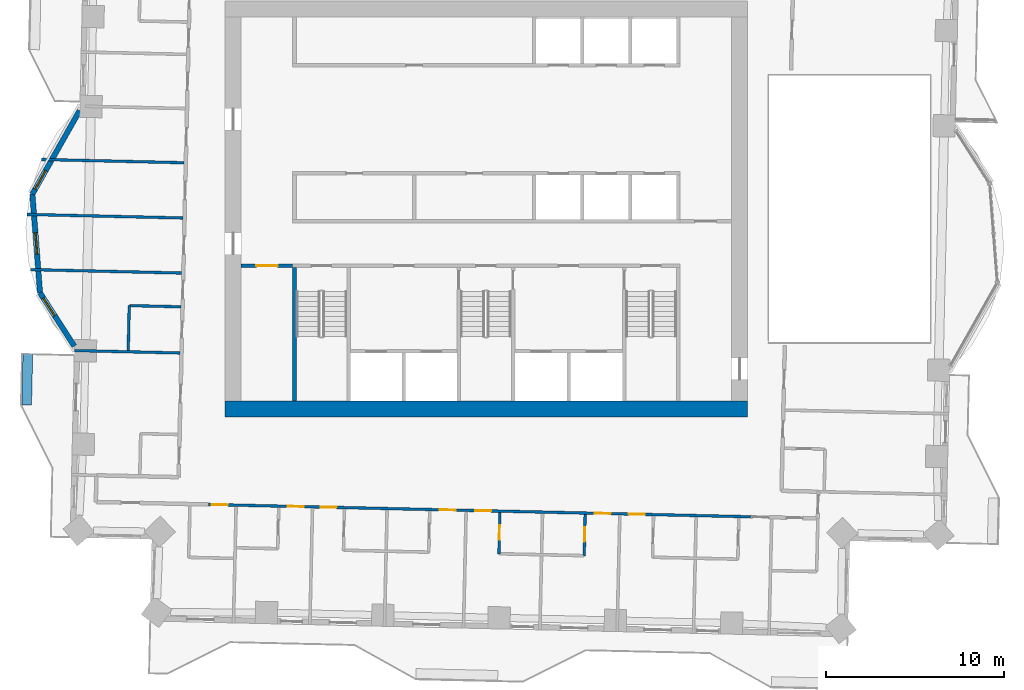
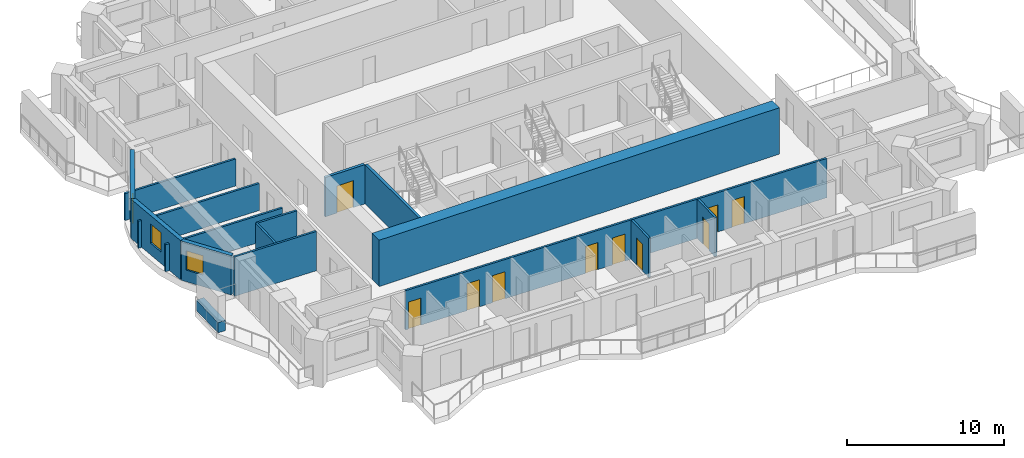
# One storey, part 5 of 15: 16 walls, 10 doors, 3 windows, 13 openings.
"""IFC4 building model written with IfcOpenShell, lengths in metres."""

from ifc_helpers import new_model, si_unit, direction, frame, frame_2d, origin, place, context, subcontext, project, spatial, rectangle, extrude, material, layer, layer_set, type_object, element, fill, save


model = new_model("IFC4")

# Units and contexts
model_context = context("Model", 3, precision=1e-05, world=origin(), true_north=direction((0.0, 1.0)))
body_context = subcontext(model_context, "Body", "Model", "MODEL_VIEW")
ifc_project = project(units=[si_unit("LENGTHUNIT", "METRE"), si_unit("AREAUNIT", "SQUARE_METRE"), si_unit("VOLUMEUNIT", "CUBIC_METRE"), si_unit("PLANEANGLEUNIT", "RADIAN"), si_unit("MASSUNIT", "GRAM", prefix="KILO")], contexts=[model_context])

# Site, building, storey
site_placement = place(None, origin())
site = spatial("IfcSite", under=ifc_project, at=site_placement, CompositionType="ELEMENT")
building_placement = place(site_placement, origin())
building = spatial("IfcBuilding", under=site, at=building_placement, Name="Mangrove Gate Tower", CompositionType="ELEMENT")
storey_placement = place(building_placement, frame((0.0, 0.0, 156.300048828125)))
storey = spatial("IfcBuildingStorey", under=building, at=storey_placement, Name="L39", CompositionType="ELEMENT", Elevation=156.300048828125)

# Wall, opening, door
ifc_material_1 = material(Name="Concrete C32/40", Category="concrete")
ifc_layer_1 = layer(ifc_material_1, 0.199951171875)
ifc_layer_set_1 = layer_set([ifc_layer_1], Name="Core lobby wall 200 C32/40")
wall_type_1 = type_object("IfcWallType", Name="Core lobby wall 200 C32/40", PredefinedType="STANDARD", material=ifc_layer_set_1)
wall_1_placement = place(storey_placement, frame((-13.800048828125, -3.199951171875, 0.0), z_axis=(0.0, 0.0, 1.0), x_axis=(1.0, 0.0, 0.0)))
wall_1 = element("IfcWall", 1, at=wall_1_placement, inside=storey, type_object=wall_type_1, Name="WALL-L39-CORE-30", PredefinedType="STANDARD", context=body_context, shape_type="SweptSolid", body=[
    extrude(rectangle(XDim=2.900146484375, YDim=0.199951171875, at=frame_2d((1.4501953125, 0.0))), origin(), (0.0, 0.0, 1.0), 3.050048828125),
])
opening_1_placement = place(wall_1_placement, frame((0.85009765625, 0.0, 0.0)))
opening_1 = element("IfcOpeningElement", 2, at=opening_1_placement, cuts=wall_1, Name="Opening FL12", PredefinedType="OPENING", context=body_context, shape_type="SweptSolid", body=[
    extrude(rectangle(XDim=1.199951171875, YDim=2.10009765625, at=frame_2d((0.60009765625, 1.050048828125))), frame((0.0, 0.10986328125, 0.0), z_axis=(0.0, -1.0, 0.0), x_axis=(1.0, 0.0, 0.0)), (0.0, 0.0, 1.0), 0.219970703125),
])
ifc_material_2 = material(Name="Fire-rated steel door set", Category="steel")
door_type_1 = type_object("IfcDoorType", Name="Lobby door FD60 1200x2100", OperationType="SINGLE_SWING_LEFT", PredefinedType="DOOR", material=ifc_material_2)
door_1_placement = place(opening_1_placement, origin())
door_1 = element("IfcDoor", 3, at=door_1_placement, inside=storey, type_object=door_type_1, Name="Lobby door core corridor W partition", OperationType="SINGLE_SWING_LEFT", OverallHeight=2.10009765625, OverallWidth=1.199951171875, PredefinedType="DOOR", context=body_context, shape_type="SweptSolid", body=[
    extrude(rectangle(XDim=1.199951171875, YDim=2.10009765625, at=frame_2d((0.60009765625, 1.050048828125))), frame((0.0, 0.02490234375, 0.0), z_axis=(0.0, -1.0, 0.0), x_axis=(1.0, 0.0, 0.0)), (0.0, 0.0, 1.0), 0.050048828125),
])
fill(opening_1, door_1)

# Walls
ifc_material_3 = material(Name="Concrete C60/75", Category="concrete")
ifc_layer_2 = layer(ifc_material_3, 0.199951171875)
ifc_layer_set_2 = layer_set([ifc_layer_2], Name="Core stair wall 200 C60/75")
wall_type_2 = type_object("IfcWallType", Name="Core stair wall 200 C60/75", PredefinedType="SHEAR", material=ifc_layer_set_2)
wall_2_placement = place(storey_placement, frame((-10.800048828125, -10.800048828125, 0.0), z_axis=(0.0, 0.0, 1.0), x_axis=(0.0, 1.0, 0.0)))
element("IfcWall", 4, at=wall_2_placement, inside=storey, type_object=wall_type_2, Name="WALL-L39-CORE-9", PredefinedType="SHEAR", context=body_context, shape_type="SweptSolid", body=[
    extrude(rectangle(XDim=7.5, YDim=0.199951171875, at=frame_2d((3.75, 0.0))), origin(), (0.0, 0.0, 1.0), 3.050048828125),
])
ifc_material_4 = material(Name="Concrete C60/75", Category="concrete")
ifc_layer_3 = layer(ifc_material_4, 0.89990234375)
ifc_layer_set_3 = layer_set([ifc_layer_3], Name="Core wall 900 C60/75")
wall_type_3 = type_object("IfcWallType", Name="Core wall 900 C60/75", PredefinedType="SHEAR", material=ifc_layer_set_3)
wall_3_placement = place(storey_placement, frame((-14.699951171875, -11.25, 0.0), z_axis=(0.0, 0.0, 1.0), x_axis=(1.0, 0.0, 0.0)))
element("IfcWall", 5, at=wall_3_placement, inside=storey, type_object=wall_type_3, Name="WALL-L39-CORE-1", PredefinedType="SHEAR", context=body_context, shape_type="SweptSolid", body=[
    extrude(rectangle(XDim=29.39990234375, YDim=0.89990234375, at=frame_2d((14.699951171875, 0.0))), origin(), (0.0, 0.0, 1.0), 3.599853515625),
])

# Wall, opening, window
ifc_material_5 = material(Name="Limestone", Category="masonry")
ifc_layer_4 = layer(ifc_material_5, 0.0400390625, Name="Limestone cladding")
ifc_material_6 = material(Name="Ventilated air gap")
ifc_layer_5 = layer(ifc_material_6, 0.0400390625, Name="Ventilated cavity")
ifc_material_7 = material(Name="Mineral wool insulation")
ifc_layer_6 = layer(ifc_material_7, 0.06005859375, Name="Insulation")
ifc_material_8 = material(Name="Breather membrane")
ifc_layer_7 = layer(ifc_material_8, 0.001953125, Name="Breather membrane")
ifc_material_9 = material(Name="Concrete C20/25 blockwork", Category="masonry")
ifc_layer_8 = layer(ifc_material_9, 0.14990234375, Name="Blockwork backing wall")
ifc_material_10 = material(Name="Gypsum plaster")
ifc_layer_9 = layer(ifc_material_10, 0.008056640625, Name="Internal plaster")
ifc_layer_set_4 = layer_set([ifc_layer_4, ifc_layer_5, ifc_layer_6, ifc_layer_7, ifc_layer_8, ifc_layer_9], Name="External wall 300 limestone cladding")
wall_type_4 = type_object("IfcWallType", Name="External wall 300 limestone cladding", PredefinedType="SOLIDWALL", material=ifc_layer_set_4)
wall_4_placement = place(storey_placement, frame((-22.89404296875, 5.537109375, 0.0), z_axis=(0.0, 0.0, 1.0), x_axis=(-0.492495436053, -0.870315026566, 0.0)))
wall_4 = element("IfcWall", 6, at=wall_4_placement, inside=storey, type_object=wall_type_4, Name="WALL-L39-W9f1", PredefinedType="SOLIDWALL", context=body_context, shape_type="SweptSolid", body=[
    extrude(rectangle(XDim=5.39697265625, YDim=0.300048828125, at=frame_2d((2.698486328125, 0.0))), origin(), (0.0, 0.0, 1.0), 3.050048828125),
])
opening_2_placement = place(wall_4_placement, frame((3.8798828125, 0.0, 0.89990234375)))
opening_2 = element("IfcOpeningElement", 7, at=opening_2_placement, cuts=wall_4, Name="Opening W1", PredefinedType="OPENING", context=body_context, shape_type="SweptSolid", body=[
    extrude(rectangle(XDim=1.199951171875, YDim=1.5, at=frame_2d((0.60009765625, 0.75))), frame((0.0, 0.159912109375, 0.0), z_axis=(0.0, -1.0, 0.0), x_axis=(1.0, 0.0, 0.0)), (0.0, 0.0, 1.0), 0.320068359375),
])
ifc_material_11 = material(Name="Aluminium frame with double-glazed low-e glass", Category="aluminium")
window_type = type_object("IfcWindowType", Name="Side lite 1200x1500", PartitioningType="SINGLE_PANEL", PredefinedType="WINDOW", material=ifc_material_11)
window_1_placement = place(opening_2_placement, origin())
window_1 = element("IfcWindow", 8, at=window_1_placement, inside=storey, type_object=window_type, Name="WIN-L39-W9f1", OverallHeight=1.5, OverallWidth=1.199951171875, PartitioningType="SINGLE_PANEL", PredefinedType="WINDOW", context=body_context, shape_type="SweptSolid", body=[
    extrude(rectangle(XDim=1.199951171875, YDim=1.5, at=frame_2d((0.60009765625, 0.75))), frame((0.0, 0.030029296875, 0.0), z_axis=(0.0, -1.0, 0.0), x_axis=(1.0, 0.0, 0.0)), (0.0, 0.0, 1.0), 0.06005859375),
])
fill(opening_2, window_1)

wall_5_placement = place(storey_placement, frame((-25.552001953125, 0.840087890625, 0.0), z_axis=(0.0, 0.0, 1.0), x_axis=(0.076961115238, -0.997034095075, 0.0)))
wall_5 = element("IfcWall", 9, at=wall_5_placement, inside=storey, type_object=wall_type_4, Name="WALL-L39-W9f2", PredefinedType="SOLIDWALL", context=body_context, shape_type="SweptSolid", body=[
    extrude(rectangle(XDim=5.57373046875, YDim=0.300048828125, at=frame_2d((2.786865234375, 0.0))), origin(), (0.0, 0.0, 1.0), 3.050048828125),
])
opening_3_placement = place(wall_5_placement, frame((2.18701171875, 0.0, 0.89990234375)))
opening_3 = element("IfcOpeningElement", 10, at=opening_3_placement, cuts=wall_5, Name="Opening W1", PredefinedType="OPENING", context=body_context, shape_type="SweptSolid", body=[
    extrude(rectangle(XDim=1.199951171875, YDim=1.5, at=frame_2d((0.60009765625, 0.75))), frame((0.0, 0.159912109375, 0.0), z_axis=(0.0, -1.0, 0.0), x_axis=(1.0, 0.0, 0.0)), (0.0, 0.0, 1.0), 0.320068359375),
])
window_2_placement = place(opening_3_placement, origin())
window_2 = element("IfcWindow", 11, at=window_2_placement, inside=storey, type_object=window_type, Name="WIN-L39-W9f2", OverallHeight=1.5, OverallWidth=1.199951171875, PartitioningType="SINGLE_PANEL", PredefinedType="WINDOW", context=body_context, shape_type="SweptSolid", body=[
    extrude(rectangle(XDim=1.199951171875, YDim=1.5, at=frame_2d((0.60009765625, 0.75))), frame((0.0, 0.030029296875, 0.0), z_axis=(0.0, -1.0, 0.0), x_axis=(1.0, 0.0, 0.0)), (0.0, 0.0, 1.0), 0.06005859375),
])
fill(opening_3, window_2)

wall_6_placement = place(storey_placement, frame((-25.123046875, -4.717041015625, 0.0), z_axis=(0.0, 0.0, 1.0), x_axis=(0.54058467792, -0.841289608873, 0.0)))
wall_6 = element("IfcWall", 12, at=wall_6_placement, inside=storey, type_object=wall_type_4, Name="WALL-L39-W9f3", PredefinedType="SOLIDWALL", context=body_context, shape_type="SweptSolid", body=[
    extrude(rectangle(XDim=3.568359375, YDim=0.300048828125, at=frame_2d((1.7841796875, 0.0))), origin(), (0.0, 0.0, 1.0), 3.050048828125),
])
opening_4_placement = place(wall_6_placement, frame((0.337890625, 0.0, 0.89990234375)))
opening_4 = element("IfcOpeningElement", 13, at=opening_4_placement, cuts=wall_6, Name="Opening W1", PredefinedType="OPENING", context=body_context, shape_type="SweptSolid", body=[
    extrude(rectangle(XDim=1.199951171875, YDim=1.5, at=frame_2d((0.60009765625, 0.75))), frame((0.0, 0.159912109375, 0.0), z_axis=(0.0, -1.0, 0.0), x_axis=(1.0, 0.0, 0.0)), (0.0, 0.0, 1.0), 0.320068359375),
])
window_3_placement = place(opening_4_placement, origin())
window_3 = element("IfcWindow", 14, at=window_3_placement, inside=storey, type_object=window_type, Name="WIN-L39-W9f3", OverallHeight=1.5, OverallWidth=1.199951171875, PartitioningType="SINGLE_PANEL", PredefinedType="WINDOW", context=body_context, shape_type="SweptSolid", body=[
    extrude(rectangle(XDim=1.199951171875, YDim=1.5, at=frame_2d((0.60009765625, 0.75))), frame((0.0, 0.030029296875, 0.0), z_axis=(0.0, -1.0, 0.0), x_axis=(1.0, 0.0, 0.0)), (0.0, 0.0, 1.0), 0.06005859375),
])
fill(opening_4, window_3)

# Wall, opening, door
ifc_material_12 = material(Name="Gypsum board on steel stud, EI 60", Category="steel")
ifc_layer_10 = layer(ifc_material_12, 0.14990234375)
ifc_layer_set_5 = layer_set([ifc_layer_10], Name="Party wall 150 EI 60")
wall_type_5 = type_object("IfcWallType", Name="Party wall 150 EI 60", PredefinedType="PARTITIONING", material=ifc_layer_set_5)
wall_7_placement = place(storey_placement, frame((0.70703125, -19.407958984375, 0.0), z_axis=(0.0, 0.0, 1.0), x_axis=(0.02279059109, 0.999740260747, 0.0)))
wall_7 = element("IfcWall", 15, at=wall_7_placement, inside=storey, type_object=wall_type_5, Name="WALL-L39-016", PredefinedType="PARTITIONING", context=body_context, shape_type="SweptSolid", body=[
    extrude(rectangle(XDim=2.324462890625, YDim=0.14990234375, at=frame_2d((1.162109375, 0.0))), origin(), (0.0, 0.0, 1.0), 3.050048828125),
])
opening_5_placement = place(wall_7_placement, frame((0.800048828125, 0.0, 0.0)))
opening_5 = element("IfcOpeningElement", 16, at=opening_5_placement, cuts=wall_7, Name="Opening ED", PredefinedType="OPENING", context=body_context, shape_type="SweptSolid", body=[
    extrude(rectangle(XDim=0.800048828125, YDim=2.10009765625, at=frame_2d((0.39990234375, 1.050048828125))), frame((0.0, 0.0849609375, 0.0), z_axis=(0.0, -1.0, 0.0), x_axis=(1.0, 0.0, 0.0)), (0.0, 0.0, 1.0), 0.169921875),
])
ifc_material_13 = material(Name="Timber door leaf", Category="wood")
door_type_2 = type_object("IfcDoorType", Name="En-suite door 800", OperationType="SINGLE_SWING_LEFT", PredefinedType="DOOR", material=ifc_material_13)
door_2_placement = place(opening_5_placement, origin())
door_2 = element("IfcDoor", 17, at=door_2_placement, inside=storey, type_object=door_type_2, Name="DOOR-L39-ENS-c204", OperationType="SINGLE_SWING_RIGHT", OverallHeight=2.10009765625, OverallWidth=0.800048828125, PredefinedType="DOOR", context=body_context, shape_type="SweptSolid", body=[
    extrude(rectangle(XDim=0.800048828125, YDim=2.10009765625, at=frame_2d((0.39990234375, 1.050048828125))), frame((0.0, 0.02490234375, 0.0), z_axis=(0.0, -1.0, 0.0), x_axis=(1.0, 0.0, 0.0)), (0.0, 0.0, 1.0), 0.050048828125),
])
fill(opening_5, door_2)

wall_8_placement = place(storey_placement, frame((5.506103515625, -19.51708984375, 0.0), z_axis=(0.0, 0.0, 1.0), x_axis=(0.022370700241, 0.999749744571, 0.0)))
wall_8 = element("IfcWall", 18, at=wall_8_placement, inside=storey, type_object=wall_type_5, Name="WALL-L39-017", PredefinedType="PARTITIONING", context=body_context, shape_type="SweptSolid", body=[
    extrude(rectangle(XDim=2.324462890625, YDim=0.14990234375, at=frame_2d((1.162109375, 0.0))), origin(), (0.0, 0.0, 1.0), 3.050048828125),
])
opening_6_placement = place(wall_8_placement, frame((0.800048828125, 0.0, 0.0)))
opening_6 = element("IfcOpeningElement", 19, at=opening_6_placement, cuts=wall_8, Name="Opening ED", PredefinedType="OPENING", context=body_context, shape_type="SweptSolid", body=[
    extrude(rectangle(XDim=0.800048828125, YDim=2.10009765625, at=frame_2d((0.39990234375, 1.050048828125))), frame((0.0, 0.0849609375, 0.0), z_axis=(0.0, -1.0, 0.0), x_axis=(1.0, 0.0, 0.0)), (0.0, 0.0, 1.0), 0.169921875),
])
door_3_placement = place(opening_6_placement, origin())
door_3 = element("IfcDoor", 20, at=door_3_placement, inside=storey, type_object=door_type_2, Name="DOOR-L39-ENS-c205", OperationType="SINGLE_SWING_LEFT", OverallHeight=2.10009765625, OverallWidth=0.800048828125, PredefinedType="DOOR", context=body_context, shape_type="SweptSolid", body=[
    extrude(rectangle(XDim=0.800048828125, YDim=2.10009765625, at=frame_2d((0.39990234375, 1.050048828125))), frame((0.0, 0.02490234375, 0.0), z_axis=(0.0, -1.0, 0.0), x_axis=(1.0, 0.0, 0.0)), (0.0, 0.0, 1.0), 0.050048828125),
])
fill(opening_6, door_3)

# Wall, openings, doors
wall_9_placement = place(storey_placement, frame((-15.64892578125, -16.633056640625, 0.0), z_axis=(0.0, 0.0, 1.0), x_axis=(0.999743261737, -0.022658565952, 0.0)))
wall_9 = element("IfcWall", 21, at=wall_9_placement, inside=storey, type_object=wall_type_5, Name="WALL-L39-027", PredefinedType="PARTITIONING", context=body_context, shape_type="SweptSolid", body=[
    extrude(rectangle(XDim=30.53564453125, YDim=0.14990234375, at=frame_2d((15.267822265625, 0.0))), origin(), (0.0, 0.0, 1.0), 3.050048828125),
])
opening_7_placement = place(wall_9_placement, frame((0.199951171875, 0.0, 0.0)))
opening_7 = element("IfcOpeningElement", 22, at=opening_7_placement, cuts=wall_9, Name="Opening SD", PredefinedType="OPENING", context=body_context, shape_type="SweptSolid", body=[
    extrude(rectangle(XDim=0.89990234375, YDim=2.10009765625, at=frame_2d((0.449951171875, 1.050048828125))), frame((0.0, 0.0849609375, 0.0), z_axis=(0.0, -1.0, 0.0), x_axis=(1.0, 0.0, 0.0)), (0.0, 0.0, 1.0), 0.169921875),
])
opening_8_placement = place(wall_9_placement, frame((4.465087890625, 0.0, 0.0)))
opening_8 = element("IfcOpeningElement", 23, at=opening_8_placement, cuts=wall_9, Name="Opening BD", PredefinedType="OPENING", context=body_context, shape_type="SweptSolid", body=[
    extrude(rectangle(XDim=0.89990234375, YDim=2.10009765625, at=frame_2d((0.449951171875, 1.050048828125))), frame((0.0, 0.0849609375, 0.0), z_axis=(0.0, -1.0, 0.0), x_axis=(1.0, 0.0, 0.0)), (0.0, 0.0, 1.0), 0.169921875),
])
opening_9_placement = place(wall_9_placement, frame((6.31494140625, 0.0, 0.0)))
opening_9 = element("IfcOpeningElement", 24, at=opening_9_placement, cuts=wall_9, Name="Opening BD", PredefinedType="OPENING", context=body_context, shape_type="SweptSolid", body=[
    extrude(rectangle(XDim=0.89990234375, YDim=2.10009765625, at=frame_2d((0.449951171875, 1.050048828125))), frame((0.0, 0.0849609375, 0.0), z_axis=(0.0, -1.0, 0.0), x_axis=(1.0, 0.0, 0.0)), (0.0, 0.0, 1.0), 0.169921875),
])
opening_10_placement = place(wall_9_placement, frame((13.0400390625, 0.0, 0.0)))
opening_10 = element("IfcOpeningElement", 25, at=opening_10_placement, cuts=wall_9, Name="Opening BD", PredefinedType="OPENING", context=body_context, shape_type="SweptSolid", body=[
    extrude(rectangle(XDim=0.89990234375, YDim=2.10009765625, at=frame_2d((0.449951171875, 1.050048828125))), frame((0.0, 0.0849609375, 0.0), z_axis=(0.0, -1.0, 0.0), x_axis=(1.0, 0.0, 0.0)), (0.0, 0.0, 1.0), 0.169921875),
])
opening_11_placement = place(wall_9_placement, frame((15.014892578125, 0.0, 0.0)))
opening_11 = element("IfcOpeningElement", 26, at=opening_11_placement, cuts=wall_9, Name="Opening BD", PredefinedType="OPENING", context=body_context, shape_type="SweptSolid", body=[
    extrude(rectangle(XDim=0.89990234375, YDim=2.10009765625, at=frame_2d((0.449951171875, 1.050048828125))), frame((0.0, 0.0849609375, 0.0), z_axis=(0.0, -1.0, 0.0), x_axis=(1.0, 0.0, 0.0)), (0.0, 0.0, 1.0), 0.169921875),
])
opening_12_placement = place(wall_9_placement, frame((21.739990234375, 0.0, 0.0)))
opening_12 = element("IfcOpeningElement", 27, at=opening_12_placement, cuts=wall_9, Name="Opening BD", PredefinedType="OPENING", context=body_context, shape_type="SweptSolid", body=[
    extrude(rectangle(XDim=0.89990234375, YDim=2.10009765625, at=frame_2d((0.449951171875, 1.050048828125))), frame((0.0, 0.0849609375, 0.0), z_axis=(0.0, -1.0, 0.0), x_axis=(1.0, 0.0, 0.0)), (0.0, 0.0, 1.0), 0.169921875),
])
opening_13_placement = place(wall_9_placement, frame((23.6650390625, 0.0, 0.0)))
opening_13 = element("IfcOpeningElement", 28, at=opening_13_placement, cuts=wall_9, Name="Opening BD", PredefinedType="OPENING", context=body_context, shape_type="SweptSolid", body=[
    extrude(rectangle(XDim=0.89990234375, YDim=2.10009765625, at=frame_2d((0.449951171875, 1.050048828125))), frame((0.0, 0.0849609375, 0.0), z_axis=(0.0, -1.0, 0.0), x_axis=(1.0, 0.0, 0.0)), (0.0, 0.0, 1.0), 0.169921875),
])
ifc_material_14 = material(Name="Timber door leaf", Category="wood")
door_type_3 = type_object("IfcDoorType", Name="Bedroom door 900", OperationType="SINGLE_SWING_LEFT", PredefinedType="DOOR", material=ifc_material_14)
door_4_placement = place(opening_8_placement, origin())
door_4 = element("IfcDoor", 29, at=door_4_placement, inside=storey, type_object=door_type_3, Name="DOOR-L39-BED-c101", OperationType="SINGLE_SWING_LEFT", OverallHeight=2.10009765625, OverallWidth=0.89990234375, PredefinedType="DOOR", context=body_context, shape_type="SweptSolid", body=[
    extrude(rectangle(XDim=0.89990234375, YDim=2.10009765625, at=frame_2d((0.449951171875, 1.050048828125))), frame((0.0, 0.02490234375, 0.0), z_axis=(0.0, -1.0, 0.0), x_axis=(1.0, 0.0, 0.0)), (0.0, 0.0, 1.0), 0.050048828125),
])
fill(opening_8, door_4)
door_5_placement = place(opening_9_placement, origin())
door_5 = element("IfcDoor", 30, at=door_5_placement, inside=storey, type_object=door_type_3, Name="DOOR-L39-BED-c102", OperationType="SINGLE_SWING_RIGHT", OverallHeight=2.10009765625, OverallWidth=0.89990234375, PredefinedType="DOOR", context=body_context, shape_type="SweptSolid", body=[
    extrude(rectangle(XDim=0.89990234375, YDim=2.10009765625, at=frame_2d((0.449951171875, 1.050048828125))), frame((0.0, 0.02490234375, 0.0), z_axis=(0.0, -1.0, 0.0), x_axis=(1.0, 0.0, 0.0)), (0.0, 0.0, 1.0), 0.050048828125),
])
fill(opening_9, door_5)
door_6_placement = place(opening_10_placement, origin())
door_6 = element("IfcDoor", 31, at=door_6_placement, inside=storey, type_object=door_type_3, Name="DOOR-L39-BED-c103", OperationType="SINGLE_SWING_LEFT", OverallHeight=2.10009765625, OverallWidth=0.89990234375, PredefinedType="DOOR", context=body_context, shape_type="SweptSolid", body=[
    extrude(rectangle(XDim=0.89990234375, YDim=2.10009765625, at=frame_2d((0.449951171875, 1.050048828125))), frame((0.0, 0.02490234375, 0.0), z_axis=(0.0, -1.0, 0.0), x_axis=(1.0, 0.0, 0.0)), (0.0, 0.0, 1.0), 0.050048828125),
])
fill(opening_10, door_6)
door_7_placement = place(opening_11_placement, origin())
door_7 = element("IfcDoor", 32, at=door_7_placement, inside=storey, type_object=door_type_3, Name="DOOR-L39-BED-c204", OperationType="SINGLE_SWING_RIGHT", OverallHeight=2.10009765625, OverallWidth=0.89990234375, PredefinedType="DOOR", context=body_context, shape_type="SweptSolid", body=[
    extrude(rectangle(XDim=0.89990234375, YDim=2.10009765625, at=frame_2d((0.449951171875, 1.050048828125))), frame((0.0, 0.02490234375, 0.0), z_axis=(0.0, -1.0, 0.0), x_axis=(1.0, 0.0, 0.0)), (0.0, 0.0, 1.0), 0.050048828125),
])
fill(opening_11, door_7)
door_8_placement = place(opening_12_placement, origin())
door_8 = element("IfcDoor", 33, at=door_8_placement, inside=storey, type_object=door_type_3, Name="DOOR-L39-BED-c205", OperationType="SINGLE_SWING_LEFT", OverallHeight=2.10009765625, OverallWidth=0.89990234375, PredefinedType="DOOR", context=body_context, shape_type="SweptSolid", body=[
    extrude(rectangle(XDim=0.89990234375, YDim=2.10009765625, at=frame_2d((0.449951171875, 1.050048828125))), frame((0.0, 0.02490234375, 0.0), z_axis=(0.0, -1.0, 0.0), x_axis=(1.0, 0.0, 0.0)), (0.0, 0.0, 1.0), 0.050048828125),
])
fill(opening_12, door_8)
door_9_placement = place(opening_13_placement, origin())
door_9 = element("IfcDoor", 34, at=door_9_placement, inside=storey, type_object=door_type_3, Name="DOOR-L39-BED-c206", OperationType="SINGLE_SWING_RIGHT", OverallHeight=2.10009765625, OverallWidth=0.89990234375, PredefinedType="DOOR", context=body_context, shape_type="SweptSolid", body=[
    extrude(rectangle(XDim=0.89990234375, YDim=2.10009765625, at=frame_2d((0.449951171875, 1.050048828125))), frame((0.0, 0.02490234375, 0.0), z_axis=(0.0, -1.0, 0.0), x_axis=(1.0, 0.0, 0.0)), (0.0, 0.0, 1.0), 0.050048828125),
])
fill(opening_13, door_9)
ifc_material_15 = material(Name="Timber door leaf", Category="wood")
door_type_4 = type_object("IfcDoorType", Name="Service room door 900", OperationType="SINGLE_SWING_LEFT", PredefinedType="DOOR", material=ifc_material_15)
door_10_placement = place(opening_7_placement, origin())
door_10 = element("IfcDoor", 35, at=door_10_placement, inside=storey, type_object=door_type_4, Name="DOOR-L39-AWC-c1a", OperationType="SINGLE_SWING_LEFT", OverallHeight=2.10009765625, OverallWidth=0.89990234375, PredefinedType="DOOR", context=body_context, shape_type="SweptSolid", body=[
    extrude(rectangle(XDim=0.89990234375, YDim=2.10009765625, at=frame_2d((0.449951171875, 1.050048828125))), frame((0.0, 0.02490234375, 0.0), z_axis=(0.0, -1.0, 0.0), x_axis=(1.0, 0.0, 0.0)), (0.0, 0.0, 1.0), 0.050048828125),
])
fill(opening_7, door_10)

# Walls
wall_10_placement = place(storey_placement, frame((-23.18994140625, -7.968994140625, 0.0), z_axis=(0.0, 0.0, 1.0), x_axis=(0.999741261868, -0.022746633113, 0.0)))
element("IfcWall", 36, at=wall_10_placement, inside=storey, type_object=wall_type_5, Name="WALL-L39-040", PredefinedType="PARTITIONING", context=body_context, shape_type="SweptSolid", body=[
    extrude(rectangle(XDim=5.935302734375, YDim=0.14990234375, at=frame_2d((2.9677734375, 0.0))), origin(), (0.0, 0.0, 1.0), 3.050048828125),
])
wall_11_placement = place(storey_placement, frame((-20.158935546875, -7.9580078125, 0.0), z_axis=(0.0, 0.0, 1.0), x_axis=(0.022919108675, 0.999737322729, 0.0)))
element("IfcWall", 37, at=wall_11_placement, inside=storey, type_object=wall_type_5, Name="WALL-L39-041", PredefinedType="PARTITIONING", context=body_context, shape_type="SweptSolid", body=[
    extrude(rectangle(XDim=2.524658203125, YDim=0.14990234375, at=frame_2d((1.26220703125, 0.0))), origin(), (0.0, 0.0, 1.0), 3.050048828125),
])
wall_12_placement = place(storey_placement, frame((-20.096923828125, -5.43896484375, 0.0), z_axis=(0.0, 0.0, 1.0), x_axis=(0.999741748633, -0.022725229174, 0.0)))
element("IfcWall", 38, at=wall_12_placement, inside=storey, type_object=wall_type_5, Name="WALL-L39-042", PredefinedType="PARTITIONING", context=body_context, shape_type="SweptSolid", body=[
    extrude(rectangle(XDim=2.900634765625, YDim=0.14990234375, at=frame_2d((1.4501953125, 0.0))), origin(), (0.0, 0.0, 1.0), 3.050048828125),
])
wall_13_placement = place(storey_placement, frame((-25.64990234375, -3.412109375, 0.0), z_axis=(0.0, 0.0, 1.0), x_axis=(0.999742413658, -0.022695954102, 0.0)))
element("IfcWall", 39, at=wall_13_placement, inside=storey, type_object=wall_type_5, Name="WALL-L39-043", PredefinedType="PARTITIONING", context=body_context, shape_type="SweptSolid", body=[
    extrude(rectangle(XDim=8.498046875, YDim=0.14990234375, at=frame_2d((4.2490234375, 0.0))), origin(), (0.0, 0.0, 1.0), 2.099853515625),
])
wall_14_placement = place(storey_placement, frame((-25.843994140625, -0.306884765625, 0.0), z_axis=(0.0, 0.0, 1.0), x_axis=(0.999741504596, -0.022735962424, 0.0)))
element("IfcWall", 40, at=wall_14_placement, inside=storey, type_object=wall_type_5, Name="WALL-L39-044", PredefinedType="PARTITIONING", context=body_context, shape_type="SweptSolid", body=[
    extrude(rectangle(XDim=8.76220703125, YDim=0.14990234375, at=frame_2d((4.381103515625, 0.0))), origin(), (0.0, 0.0, 1.0), 2.099853515625),
])
wall_15_placement = place(storey_placement, frame((-25.0400390625, 2.785888671875, 0.0), z_axis=(0.0, 0.0, 1.0), x_axis=(0.999740625399, -0.022774589508, 0.0)))
element("IfcWall", 41, at=wall_15_placement, inside=storey, type_object=wall_type_5, Name="WALL-L39-045", PredefinedType="PARTITIONING", context=body_context, shape_type="SweptSolid", body=[
    extrude(rectangle(XDim=8.029296875, YDim=0.14990234375, at=frame_2d((4.0146484375, 0.0))), origin(), (0.0, 0.0, 1.0), 2.099853515625),
])
ifc_material_16 = material(Name="Concrete C32/40", Category="concrete")
ifc_layer_11 = layer(ifc_material_16, 0.199951171875, Name="Planter trough wall")
ifc_material_17 = material(Name="Bituminous waterproofing membrane")
ifc_layer_12 = layer(ifc_material_17, 0.0048828125, Name="Waterproofing")
ifc_material_18 = material(Name="Drainage board and gravel")
ifc_layer_13 = layer(ifc_material_18, 0.044921875, Name="Drainage layer")
ifc_material_19 = material(Name="Planting soil")
ifc_layer_14 = layer(ifc_material_19, 0.300048828125, Name="Growing medium")
ifc_layer_set_6 = layer_set([ifc_layer_11, ifc_layer_12, ifc_layer_13, ifc_layer_14], Name="Planter wall 550 C32/40")
wall_type_6 = type_object("IfcWallType", Name="Planter wall 550 C32/40", PredefinedType="USERDEFINED", material=ifc_layer_set_6)
wall_16_placement = place(storey_placement, frame((-25.875, -11.029052734375, 0.0), z_axis=(0.0, 0.0, 1.0), x_axis=(0.022590224177, 0.999744808324, 0.0)))
element("IfcWall", 42, at=wall_16_placement, inside=storey, type_object=wall_type_6, Name="PLANTER L39 W1.1", ObjectType="PLANTER", PredefinedType="USERDEFINED", context=body_context, shape_type="SweptSolid", body=[
    extrude(rectangle(XDim=2.874755859375, YDim=0.550048828125, at=frame_2d((1.4375, 0.0))), origin(), (0.0, 0.0, 1.0), 0.800048828125),
])

save(model, "model.ifc")
